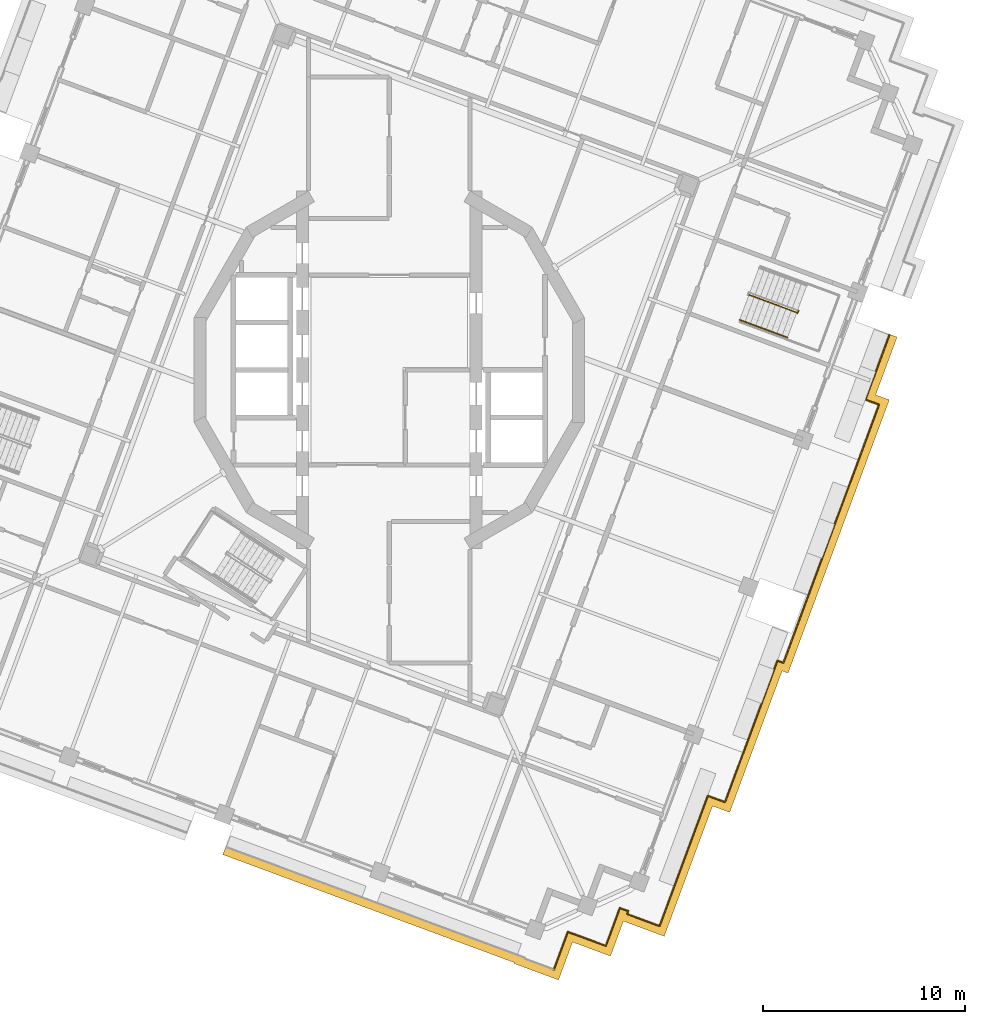
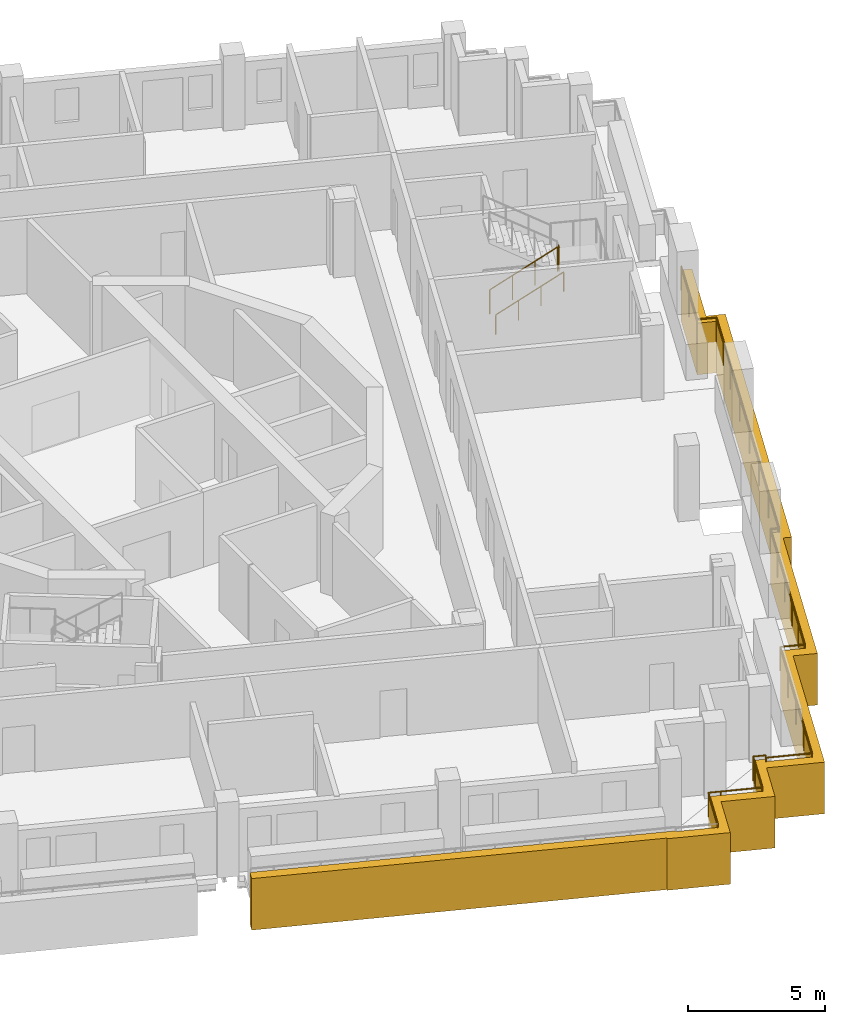
# One storey, part 14 of 19: 3 railings, 1 covering.
"""IFC4 building model written with IfcOpenShell, lengths in metres."""

from ifc_helpers import new_model, si_unit, direction, frame, origin, origin_2d, place, context, subcontext, project, spatial, polyline, circle, outline, extrude, material, type_object, element, save


model = new_model("IFC4")

# Units and contexts
model_context = context("Model", 3, precision=1e-05, world=origin(), true_north=direction((0.0, 1.0)))
body_context = subcontext(model_context, "Body", "Model", "MODEL_VIEW")
ifc_project = project(units=[si_unit("LENGTHUNIT", "METRE"), si_unit("AREAUNIT", "SQUARE_METRE"), si_unit("VOLUMEUNIT", "CUBIC_METRE"), si_unit("PLANEANGLEUNIT", "RADIAN"), si_unit("MASSUNIT", "GRAM", prefix="KILO")], contexts=[model_context])

# Site, building, storey
site_placement = place(None, origin())
site = spatial("IfcSite", under=ifc_project, at=site_placement, CompositionType="ELEMENT")
building_placement = place(site_placement, origin())
building = spatial("IfcBuilding", under=site, at=building_placement, Name="Cantera Rosa Tower", CompositionType="ELEMENT")
storey_placement = place(building_placement, frame((0.0, 0.0, 327.699951171875)))
storey = spatial("IfcBuildingStorey", under=building, at=storey_placement, Name="L73", CompositionType="ELEMENT", Elevation=327.699951171875)

# Railings
ifc_material_1 = material(Name="Stainless steel and laminated glass", Category="steel")
railing_type_1 = type_object("IfcRailingType", Name="GUARD 1100", PredefinedType="BALUSTRADE", material=ifc_material_1)
railing_1_placement = place(storey_placement, frame((24.750244140625, 1.748779296875, 0.0)))
element("IfcRailing", 1, at=railing_1_placement, inside=storey, type_object=railing_type_1, Name="GUARD L73-4", PredefinedType="BALUSTRADE", context=body_context, shape_type="SweptSolid", body=[
    extrude(circle(Radius=0.030029296875, at=origin_2d()), frame((0.0, 0.0, 1.070068359375), z_axis=(-0.347455720104, -0.937696391465, 0.0), x_axis=(0.937696391465, -0.347455720104, 0.0)), (0.0, 0.0, 1.0), 3.43115234375),
    extrude(circle(Radius=0.030029296875, at=origin_2d()), frame((-1.192138671875, -3.21728515625, 1.070068359375), z_axis=(0.937662671744, -0.347546707679, 0.0), x_axis=(0.347546707679, 0.937662671744, 0.0)), (0.0, 0.0, 1.0), 0.718505859375),
    extrude(circle(Radius=0.030029296875, at=origin_2d()), frame((-0.518310546875, -3.467041015625, 1.070068359375), z_axis=(-0.347511276903, -0.937675803476, 0.0), x_axis=(0.937675803476, -0.347511276903, 0.0)), (0.0, 0.0, 1.0), 3.068603515625),
    extrude(circle(Radius=0.030029296875, at=origin_2d()), frame((-1.584716796875, -6.344482421875, 1.070068359375), z_axis=(0.0, -1.0, 0.0), x_axis=(1.0, 0.0, 0.0)), (0.0, 0.0, 1.0), 0.000244140625),
    extrude(circle(Radius=0.030029296875, at=origin_2d()), frame((-1.584716796875, -6.3447265625, 1.070068359375), z_axis=(-0.347467280762, -0.937692107677, 0.0), x_axis=(0.937692107677, -0.347467280762, 0.0)), (0.0, 0.0, 1.0), 10.39892578125),
    extrude(circle(Radius=0.030029296875, at=origin_2d()), frame((-5.197998046875, -16.095703125, 1.070068359375), z_axis=(-0.4472135955, -0.894427191, 0.0), x_axis=(0.894427191, -0.4472135955, 0.0)), (0.0, 0.0, 1.0), 0.0009765625),
    extrude(circle(Radius=0.030029296875, at=origin_2d()), frame((-5.198486328125, -16.0966796875, 1.070068359375), z_axis=(-0.346994485002, -0.937867169368, 0.0), x_axis=(0.937867169368, -0.346994485002, 0.0)), (0.0, 0.0, 1.0), 0.149169921875),
    extrude(circle(Radius=0.030029296875, at=origin_2d()), frame((-5.250244140625, -16.236572265625, 1.070068359375), z_axis=(-0.937710829403, 0.347416753224, 0.0), x_axis=(-0.347416753224, -0.937710829403, 0.0)), (0.0, 0.0, 1.0), 0.310546875),
    extrude(circle(Radius=0.030029296875, at=origin_2d()), frame((-5.54150390625, -16.128662109375, 1.070068359375), z_axis=(-0.939793423488, 0.341743063087, 0.0), x_axis=(-0.341743063087, -0.939793423488, 0.0)), (0.0, 0.0, 1.0), 0.0029296875),
    extrude(circle(Radius=0.030029296875, at=origin_2d()), frame((-5.544189453125, -16.127685546875, 1.070068359375), z_axis=(-0.419058177462, -0.9079593845, 0.0), x_axis=(0.9079593845, -0.419058177462, 0.0)), (0.0, 0.0, 1.0), 0.00341796875),
    extrude(circle(Radius=0.030029296875, at=origin_2d()), frame((-5.545654296875, -16.130859375, 1.070068359375), z_axis=(-0.347483265231, -0.937686184384, 0.0), x_axis=(0.937686184384, -0.347483265231, 0.0)), (0.0, 0.0, 1.0), 4.70751953125),
    extrude(circle(Radius=0.030029296875, at=origin_2d()), frame((-7.181396484375, -20.544921875, 1.070068359375), z_axis=(-0.242535625036, -0.970142500145, 0.0), x_axis=(0.970142500145, -0.242535625036, 0.0)), (0.0, 0.0, 1.0), 0.0009765625),
    extrude(circle(Radius=0.030029296875, at=origin_2d()), frame((-7.181640625, -20.5458984375, 1.070068359375), z_axis=(-0.347536627761, -0.937666407826, 0.0), x_axis=(0.937666407826, -0.347536627761, 0.0)), (0.0, 0.0, 1.0), 2.75439453125),
    extrude(circle(Radius=0.030029296875, at=origin_2d()), frame((-8.138916015625, -23.128662109375, 1.070068359375), z_axis=(-0.937641368545, 0.34760417718, 0.0), x_axis=(-0.34760417718, -0.937641368545, 0.0)), (0.0, 0.0, 1.0), 0.9052734375),
    extrude(circle(Radius=0.030029296875, at=origin_2d()), frame((-8.98779296875, -22.81396484375, 1.070068359375), z_axis=(-0.347493627455, -0.937682344335, 0.0), x_axis=(0.937682344335, -0.347493627455, 0.0)), (0.0, 0.0, 1.0), 6.874755859375),
    extrude(circle(Radius=0.030029296875, at=origin_2d()), frame((-11.376708984375, -29.26025390625, 1.070068359375), z_axis=(-0.93766211216, 0.347548217403, 0.0), x_axis=(-0.347548217403, -0.93766211216, 0.0)), (0.0, 0.0, 1.0), 1.699951171875),
    extrude(circle(Radius=0.030029296875, at=origin_2d()), frame((-12.970703125, -28.66943359375, 1.070068359375), z_axis=(0.348345544994, 0.937366193802, 0.0), x_axis=(-0.937366193802, 0.348345544994, 0.0)), (0.0, 0.0, 1.0), 0.154296875),
    extrude(circle(Radius=0.030029296875, at=origin_2d()), frame((-12.9169921875, -28.52490234375, 1.070068359375), z_axis=(-0.937800612421, 0.34717432414, 0.0), x_axis=(-0.34717432414, -0.937800612421, 0.0)), (0.0, 0.0, 1.0), 0.454345703125),
    extrude(circle(Radius=0.030029296875, at=origin_2d()), frame((-13.343017578125, -28.3671875, 1.070068359375), z_axis=(-0.347349380186, -0.937735787994, 0.0), x_axis=(0.937735787994, -0.347349380186, 0.0)), (0.0, 0.0, 1.0), 0.4541015625),
    extrude(circle(Radius=0.030029296875, at=origin_2d()), frame((-13.500732421875, -28.79296875, 1.070068359375), z_axis=(-0.347468671564, -0.937691592306, 0.0), x_axis=(0.937691592306, -0.347468671564, 0.0)), (0.0, 0.0, 1.0), 1.5458984375),
    extrude(circle(Radius=0.030029296875, at=origin_2d()), frame((-14.037841796875, -30.242431640625, 1.070068359375), z_axis=(-0.937691592306, 0.347468671564, 0.0), x_axis=(-0.347468671564, -0.937691592306, 0.0)), (0.0, 0.0, 1.0), 1.5458984375),
    extrude(circle(Radius=0.030029296875, at=origin_2d()), frame((-15.4873046875, -29.705322265625, 1.070068359375), z_axis=(-0.937625552155, 0.347646837962, 0.0), x_axis=(-0.347646837962, -0.937625552155, 0.0)), (0.0, 0.0, 1.0), 0.454345703125),
    extrude(circle(Radius=0.030029296875, at=origin_2d()), frame((-15.913330078125, -29.54736328125, 1.070068359375), z_axis=(-0.347401818267, -0.937716362588, 0.0), x_axis=(0.937716362588, -0.347401818267, 0.0)), (0.0, 0.0, 1.0), 2.0),
    extrude(circle(Radius=0.02490234375, at=origin_2d()), origin(), (0.0, 0.0, 1.0), 1.0400390625),
    extrude(circle(Radius=0.02490234375, at=origin_2d()), frame((-0.59619140625, -1.608642578125, 0.0)), (0.0, 0.0, 1.0), 1.0400390625),
    extrude(circle(Radius=0.02490234375, at=origin_2d()), frame((-1.192138671875, -3.21728515625, 0.0)), (0.0, 0.0, 1.0), 1.0400390625),
    extrude(circle(Radius=0.02490234375, at=origin_2d()), frame((-0.518310546875, -3.467041015625, 0.0)), (0.0, 0.0, 1.0), 1.0400390625),
    extrude(circle(Radius=0.02490234375, at=origin_2d()), frame((-1.051513671875, -4.90576171875, 0.0)), (0.0, 0.0, 1.0), 1.0400390625),
    extrude(circle(Radius=0.02490234375, at=origin_2d()), frame((-1.584716796875, -6.344482421875, 0.0)), (0.0, 0.0, 1.0), 1.0400390625),
    extrude(circle(Radius=0.02490234375, at=origin_2d()), frame((-1.584716796875, -6.3447265625, 0.0)), (0.0, 0.0, 1.0), 1.0400390625),
    extrude(circle(Radius=0.02490234375, at=origin_2d()), frame((-2.307373046875, -8.294921875, 0.0)), (0.0, 0.0, 1.0), 1.0400390625),
    extrude(circle(Radius=0.02490234375, at=origin_2d()), frame((-3.030029296875, -10.2451171875, 0.0)), (0.0, 0.0, 1.0), 1.0400390625),
    extrude(circle(Radius=0.02490234375, at=origin_2d()), frame((-3.752685546875, -12.1953125, 0.0)), (0.0, 0.0, 1.0), 1.0400390625),
    extrude(circle(Radius=0.02490234375, at=origin_2d()), frame((-4.475341796875, -14.1455078125, 0.0)), (0.0, 0.0, 1.0), 1.0400390625),
    extrude(circle(Radius=0.02490234375, at=origin_2d()), frame((-5.197998046875, -16.095703125, 0.0)), (0.0, 0.0, 1.0), 1.0400390625),
    extrude(circle(Radius=0.02490234375, at=origin_2d()), frame((-5.198486328125, -16.0966796875, 0.0)), (0.0, 0.0, 1.0), 1.0400390625),
    extrude(circle(Radius=0.02490234375, at=origin_2d()), frame((-5.250244140625, -16.236572265625, 0.0)), (0.0, 0.0, 1.0), 1.0400390625),
    extrude(circle(Radius=0.02490234375, at=origin_2d()), frame((-5.54150390625, -16.128662109375, 0.0)), (0.0, 0.0, 1.0), 1.0400390625),
    extrude(circle(Radius=0.02490234375, at=origin_2d()), frame((-5.544189453125, -16.127685546875, 0.0)), (0.0, 0.0, 1.0), 1.0400390625),
    extrude(circle(Radius=0.02490234375, at=origin_2d()), frame((-5.545654296875, -16.130859375, 0.0)), (0.0, 0.0, 1.0), 1.0400390625),
    extrude(circle(Radius=0.02490234375, at=origin_2d()), frame((-6.0908203125, -17.602294921875, 0.0)), (0.0, 0.0, 1.0), 1.0400390625),
    extrude(circle(Radius=0.02490234375, at=origin_2d()), frame((-6.63623046875, -19.073486328125, 0.0)), (0.0, 0.0, 1.0), 1.0400390625),
    extrude(circle(Radius=0.02490234375, at=origin_2d()), frame((-7.181396484375, -20.544921875, 0.0)), (0.0, 0.0, 1.0), 1.0400390625),
    extrude(circle(Radius=0.02490234375, at=origin_2d()), frame((-7.181640625, -20.5458984375, 0.0)), (0.0, 0.0, 1.0), 1.0400390625),
    extrude(circle(Radius=0.02490234375, at=origin_2d()), frame((-7.66015625, -21.83740234375, 0.0)), (0.0, 0.0, 1.0), 1.0400390625),
    extrude(circle(Radius=0.02490234375, at=origin_2d()), frame((-8.138916015625, -23.128662109375, 0.0)), (0.0, 0.0, 1.0), 1.0400390625),
    extrude(circle(Radius=0.02490234375, at=origin_2d()), frame((-8.98779296875, -22.81396484375, 0.0)), (0.0, 0.0, 1.0), 1.0400390625),
    extrude(circle(Radius=0.02490234375, at=origin_2d()), frame((-9.5849609375, -24.425537109375, 0.0)), (0.0, 0.0, 1.0), 1.0400390625),
    extrude(circle(Radius=0.02490234375, at=origin_2d()), frame((-10.18212890625, -26.037109375, 0.0)), (0.0, 0.0, 1.0), 1.0400390625),
    extrude(circle(Radius=0.02490234375, at=origin_2d()), frame((-10.779541015625, -27.648681640625, 0.0)), (0.0, 0.0, 1.0), 1.0400390625),
    extrude(circle(Radius=0.02490234375, at=origin_2d()), frame((-11.376708984375, -29.26025390625, 0.0)), (0.0, 0.0, 1.0), 1.0400390625),
    extrude(circle(Radius=0.02490234375, at=origin_2d()), frame((-12.970703125, -28.66943359375, 0.0)), (0.0, 0.0, 1.0), 1.0400390625),
    extrude(circle(Radius=0.02490234375, at=origin_2d()), frame((-12.9169921875, -28.52490234375, 0.0)), (0.0, 0.0, 1.0), 1.0400390625),
    extrude(circle(Radius=0.02490234375, at=origin_2d()), frame((-13.343017578125, -28.3671875, 0.0)), (0.0, 0.0, 1.0), 1.0400390625),
    extrude(circle(Radius=0.02490234375, at=origin_2d()), frame((-13.500732421875, -28.79296875, 0.0)), (0.0, 0.0, 1.0), 1.0400390625),
    extrude(circle(Radius=0.02490234375, at=origin_2d()), frame((-14.037841796875, -30.242431640625, 0.0)), (0.0, 0.0, 1.0), 1.0400390625),
    extrude(circle(Radius=0.02490234375, at=origin_2d()), frame((-15.4873046875, -29.705322265625, 0.0)), (0.0, 0.0, 1.0), 1.0400390625),
    extrude(circle(Radius=0.02490234375, at=origin_2d()), frame((-15.913330078125, -29.54736328125, 0.0)), (0.0, 0.0, 1.0), 1.0400390625),
    extrude(circle(Radius=0.02490234375, at=origin_2d()), frame((-16.608154296875, -31.4228515625, 0.0)), (0.0, 0.0, 1.0), 1.0400390625),
])
ifc_material_2 = material(Name="Steel S355J2 (EN 10025-2)", Category="steel")
railing_type_2 = type_object("IfcRailingType", Name="STAIR GUARD 1100", PredefinedType="GUARDRAIL", material=ifc_material_2)
railing_2_placement = place(storey_placement, frame((17.802490234375, 3.721923828125, 0.179931640625)))
element("IfcRailing", 2, at=railing_2_placement, inside=storey, type_object=railing_type_2, Name="L73 ST-61 stair guard 1", PredefinedType="GUARDRAIL", context=body_context, shape_type="SweptSolid", body=[
    extrude(circle(Radius=0.02392578125, at=origin_2d()), frame((0.0, 0.0, 1.076171875), z_axis=(0.788747577403, -0.292306804437, 0.540771662738), x_axis=(0.347500508527, 0.937679794265, 0.0)), (0.0, 0.0, 1.0), 2.995849609375),
    extrude(circle(Radius=0.02392578125, at=origin_2d()), frame((2.363037109375, -0.875732421875, 2.6962890625), z_axis=(0.671593765389, -0.740919573429, 0.0), x_axis=(0.740919573429, 0.671593765389, 0.0)), (0.0, 0.0, 1.0), 0.056396484375),
    extrude(circle(Radius=0.02392578125, at=origin_2d()), frame((2.40087890625, -0.91748046875, 2.6962890625), z_axis=(0.348268249601, 0.937394914814, 0.0), x_axis=(-0.937394914814, 0.348268249601, 0.0)), (0.0, 0.0, 1.0), 0.14990234375),
    extrude(circle(Radius=0.02099609375, at=origin_2d()), origin(), (0.0, 0.0, 1.0), 1.052001953125),
    extrude(circle(Radius=0.02099609375, at=origin_2d()), frame((0.78759765625, -0.2919921875, 0.5400390625)), (0.0, 0.0, 1.0), 1.052001953125),
    extrude(circle(Radius=0.02099609375, at=origin_2d()), frame((1.575439453125, -0.583740234375, 1.080078125)), (0.0, 0.0, 1.0), 1.052001953125),
    extrude(circle(Radius=0.02099609375, at=origin_2d()), frame((2.363037109375, -0.875732421875, 1.6201171875)), (0.0, 0.0, 1.0), 1.052001953125),
    extrude(circle(Radius=0.02099609375, at=origin_2d()), frame((2.40087890625, -0.91748046875, 1.6201171875)), (0.0, 0.0, 1.0), 1.052001953125),
    extrude(circle(Radius=0.02099609375, at=origin_2d()), frame((2.453125, -0.77685546875, 1.6201171875)), (0.0, 0.0, 1.0), 1.052001953125),
])
ifc_material_3 = material(Name="Steel S355J2 (EN 10025-2)", Category="steel")
railing_type_3 = type_object("IfcRailingType", Name="STAIR HANDRAIL 900", PredefinedType="HANDRAIL", material=ifc_material_3)
railing_3_placement = place(storey_placement, frame((17.341796875, 2.478515625, 0.179931640625)))
element("IfcRailing", 3, at=railing_3_placement, inside=storey, type_object=railing_type_3, Name="L73 ST-61 stair handrail 1", PredefinedType="HANDRAIL", context=body_context, shape_type="SweptSolid", body=[
    extrude(circle(Radius=0.02392578125, at=origin_2d()), frame((0.0, 0.0, 0.8759765625), z_axis=(0.788747577403, -0.292306804437, 0.540771662738), x_axis=(0.347500508527, 0.937679794265, 0.0)), (0.0, 0.0, 1.0), 2.995849609375),
    extrude(circle(Radius=0.02099609375, at=origin_2d()), origin(), (0.0, 0.0, 1.0), 0.851806640625),
    extrude(circle(Radius=0.02099609375, at=origin_2d()), frame((0.78759765625, -0.2919921875, 0.5400390625)), (0.0, 0.0, 1.0), 0.851806640625),
    extrude(circle(Radius=0.02099609375, at=origin_2d()), frame((1.575439453125, -0.583740234375, 1.080078125)), (0.0, 0.0, 1.0), 0.851806640625),
    extrude(circle(Radius=0.02099609375, at=origin_2d()), frame((2.363037109375, -0.875732421875, 1.6201171875)), (0.0, 0.0, 1.0), 0.851806640625),
])

# Covering
ifc_material_4 = material(Name="Cantera stone", Category="masonry")
covering_type = type_object("IfcCoveringType", Name="TRAY FASCIA 400", PredefinedType="CLADDING", material=ifc_material_4)
covering_placement = place(storey_placement, frame((0.0, 0.0, -1.39990234375)))
element("IfcCovering", 4, at=covering_placement, inside=storey, type_object=covering_type, Name="TRAY FASCIA L73-03", PredefinedType="CLADDING", context=body_context, shape_type="SweptSolid", body=[
    extrude(outline(polyline([(24.072021484375, -1.232421875), (24.74609375, -1.482177734375), (19.736083984375, -15.001708984375), (19.44189453125, -14.892822265625), (16.847412109375, -21.893798828125), (15.99853515625, -21.579345703125), (13.609619140625, -28.025390625), (11.58984375, -27.27685546875), (10.948486328125, -29.0078125), (9.123779296875, -28.33154296875), (9.072998046875, -28.312744140625), (8.378173828125, -30.188232421875), (6.178466796875, -29.373046875), (6.1943359375, -29.330078125), (0.286865234375, -27.140869140625), (-2.526123046875, -26.098388671875), (-7.402099609375, -24.29150390625), (-8.236572265625, -23.982421875), (-8.09765625, -23.607177734375), (-7.26318359375, -23.91650390625), (-2.38720703125, -25.723388671875), (0.426025390625, -26.765869140625), (6.70849609375, -29.093994140625), (6.6923828125, -29.136962890625), (8.14208984375, -29.674072265625), (8.8369140625, -27.798583984375), (9.262939453125, -27.95654296875), (10.71240234375, -28.49365234375), (11.24951171875, -27.044189453125), (11.4072265625, -26.618408203125), (11.833251953125, -26.776123046875), (11.779541015625, -26.920654296875), (13.37353515625, -27.511474609375), (15.762451171875, -21.065185546875), (16.611328125, -21.3798828125), (19.205810546875, -14.378662109375), (19.5, -14.48779296875), (24.23193359375, -1.71826171875), (23.55810546875, -1.468505859375), (24.757080078125, 1.767578125), (25.13232421875, 1.62841796875), (24.072021484375, -1.232421875)])), origin(), (0.0, 0.0, 1.0), 2.300048828125),
])

save(model, "model.ifc")
